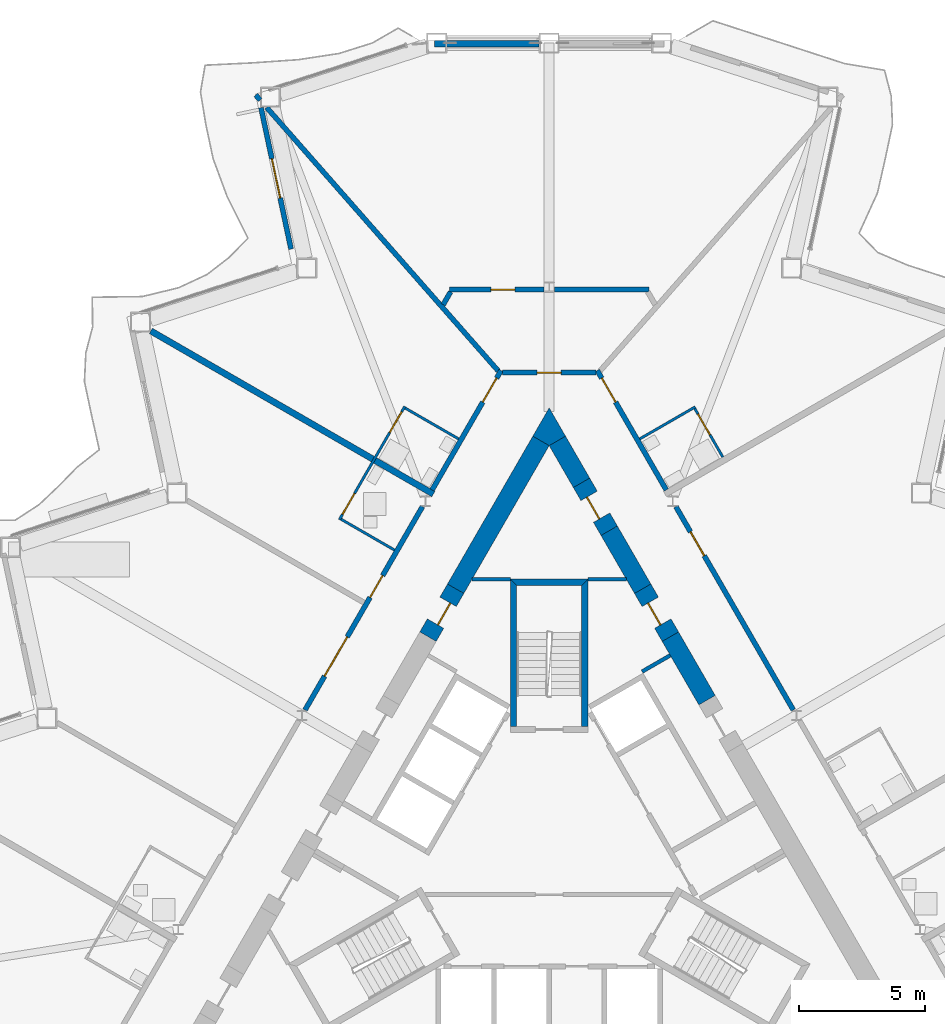
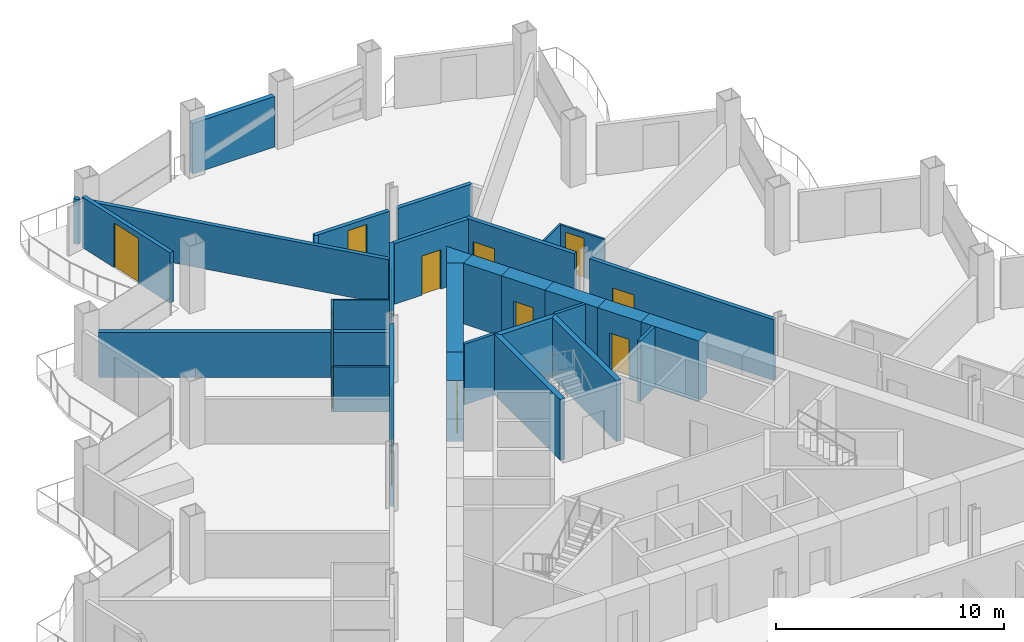
# One storey, part 14 of 23: 32 walls, 14 doors, 14 openings.
"""IFC4 building model written with IfcOpenShell, lengths in metres."""

from ifc_helpers import new_model, si_unit, direction, frame, frame_2d, origin, place, context, subcontext, project, spatial, polyline, rectangle, outline, extrude, material, layer, layer_set, type_object, element, fill, save


model = new_model("IFC4")

# Units and contexts
model_context = context("Model", 3, precision=1e-05, world=origin(), true_north=direction((0.0, 1.0)))
body_context = subcontext(model_context, "Body", "Model", "MODEL_VIEW")
ifc_project = project(units=[si_unit("LENGTHUNIT", "METRE"), si_unit("AREAUNIT", "SQUARE_METRE"), si_unit("VOLUMEUNIT", "CUBIC_METRE"), si_unit("PLANEANGLEUNIT", "RADIAN"), si_unit("MASSUNIT", "GRAM", prefix="KILO")], contexts=[model_context])

# Site, building, storey
site_placement = place(None, origin())
site = spatial("IfcSite", under=ifc_project, at=site_placement, CompositionType="ELEMENT")
building_placement = place(site_placement, origin())
building = spatial("IfcBuilding", under=site, at=building_placement, Name="Cormorant Prow Tower", CompositionType="ELEMENT")
storey_placement = place(building_placement, frame((0.0, 0.0, 169.199951171875)))
storey = spatial("IfcBuildingStorey", under=building, at=storey_placement, Name="L35", CompositionType="ELEMENT", Elevation=169.199951171875)

# Walls
ifc_material_1 = material(Name="Gypsum board partition")
ifc_layer_1 = layer(ifc_material_1, 0.14990234375)
ifc_layer_set_1 = layer_set([ifc_layer_1], Name="Gypsum board partition")
wall_type_1 = type_object("IfcWallType", Name="Core partition 150", PredefinedType="PARTITIONING", material=ifc_layer_set_1)
wall_1_placement = place(storey_placement, frame((3.693359375, 7.4150390625, 0.0), z_axis=(0.0, 0.0, 1.0), x_axis=(0.866003189247, 0.500038474733, 0.0)))
element("IfcWall", 1, at=wall_1_placement, inside=storey, type_object=wall_type_1, Name="Service room partition", PredefinedType="PARTITIONING", context=body_context, shape_type="SweptSolid", body=[
    extrude(rectangle(XDim=1.29296875, YDim=0.14990234375, at=frame_2d((0.646484375, 0.0))), origin(), (0.0, 0.0, 1.0), 3.25),
])
for number, where, z_axis, x_axis, name in (
    (2, (1.5439453125, 11.0869140625, 0.0), (0.0, 0.0, 1.0), (1.0, 0.0, 0.0), "Service room partition"),
    (3, (-1.5439453125, 11.0869140625, 0.0), (0.0, 0.0, 1.0), (-1.0, 0.0, 0.0), "Service room partition"),
):
    element("IfcWall", number, at=place(storey_placement, frame(where, z_axis=z_axis, x_axis=x_axis)), inside=storey, type_object=wall_type_1, Name=name, PredefinedType="PARTITIONING", context=body_context, shape_type="SweptSolid", body=[
        extrude(rectangle(XDim=1.5224609375, YDim=0.14990234375, at=frame_2d((0.76123046875, 0.0))), origin(), (0.0, 0.0, 1.0), 3.25),
    ])
ifc_material_2 = material(Name="Concrete 8000 psi", Category="concrete")
ifc_layer_2 = layer(ifc_material_2, 0.75)
ifc_layer_set_2 = layer_set([ifc_layer_2], Name="Concrete 8000 psi")
wall_type_2 = type_object("IfcWallType", Name="Core shear wall 750", PredefinedType="SHEAR", material=ifc_layer_set_2)
wall_2_placement = place(storey_placement, frame((6.275390625, 6.27880859375, 0.0), z_axis=(0.0, 0.0, 1.0), x_axis=(-0.500029273391, 0.866008502124, 0.0)))
element("IfcWall", 4, at=wall_2_placement, inside=storey, type_object=wall_type_2, Name="Core wall", PredefinedType="SHEAR", context=body_context, shape_type="SweptSolid", body=[
    extrude(rectangle(XDim=2.915771484375, YDim=0.75, at=frame_2d((1.4580078125, 0.0))), origin(), (0.0, 0.0, 1.0), 3.25),
])
wall_3_placement = place(storey_placement, frame((3.71728515625, 10.709228515625, 0.0), z_axis=(0.0, 0.0, 1.0), x_axis=(-0.500005599468, 0.866022170906, 0.0)))
element("IfcWall", 5, at=wall_3_placement, inside=storey, type_object=wall_type_2, Name="Core wall", PredefinedType="SHEAR", context=body_context, shape_type="SweptSolid", body=[
    extrude(rectangle(XDim=2.662109375, YDim=0.75, at=frame_2d((1.3310546875, 0.0))), origin(), (0.0, 0.0, 1.0), 3.25),
])
wall_4_placement = place(storey_placement, frame((1.286376953125, 14.919921875, 0.0), z_axis=(0.0, 0.0, 1.0), x_axis=(-0.500030129425, 0.866008007854, 0.0)))
element("IfcWall", 6, at=wall_4_placement, inside=storey, type_object=wall_type_2, Name="Core wall", PredefinedType="SHEAR", context=body_context, shape_type="SweptSolid", body=[
    extrude(rectangle(XDim=1.92333984375, YDim=0.75, at=frame_2d((0.961669921875, 0.0))), origin(), (0.0, 0.0, 1.0), 3.25),
])
wall_5_placement = place(storey_placement, frame((-0.32470703125, 16.58544921875, 0.0), z_axis=(0.0, 0.0, 1.0), x_axis=(-0.499993425452, -0.866029199568, 0.0)))
element("IfcWall", 7, at=wall_5_placement, inside=storey, type_object=wall_type_2, Name="Core wall", PredefinedType="SHEAR", context=body_context, shape_type="SweptSolid", body=[
    extrude(rectangle(XDim=6.78515625, YDim=0.75, at=frame_2d((3.392578125, 0.0))), origin(), (0.0, 0.0, 1.0), 3.25),
])
wall_6_placement = place(storey_placement, origin())
element("IfcWall", 8, at=wall_6_placement, inside=storey, type_object=wall_type_2, Name="Core wall corner", PredefinedType="SHEAR", context=body_context, shape_type="SweptSolid", body=[
    extrude(outline(polyline([(-0.6494140625, 16.77294921875), (0.0, 17.89794921875), (0.6494140625, 16.77294921875), (0.0, 16.39794921875), (-0.6494140625, 16.77294921875)])), origin(), (0.0, 0.0, 1.0), 3.25),
])

# Wall, opening, door
wall_7_placement = place(storey_placement, frame((2.38623046875, 13.0146484375, 0.0), z_axis=(0.0, 0.0, 1.0), x_axis=(-0.499946605688, 0.86605622881, 0.0)))
wall_7 = element("IfcWall", 9, at=wall_7_placement, inside=storey, type_object=wall_type_2, Name="Core wall door panel", PredefinedType="SHEAR", context=body_context, shape_type="SweptSolid", body=[
    extrude(rectangle(XDim=2.199951171875, YDim=0.75, at=frame_2d((1.10009765625, 0.0))), origin(), (0.0, 0.0, 1.0), 3.25),
])
opening_1_placement = place(wall_7_placement, frame((0.60009765625, 0.0, 0.0)))
opening_1 = element("IfcOpeningElement", 10, at=opening_1_placement, cuts=wall_7, Name="Opening L35-C20", PredefinedType="OPENING", context=body_context, shape_type="SweptSolid", body=[
    extrude(rectangle(XDim=1.0, YDim=2.10009765625, at=frame_2d((0.5, 1.050048828125))), frame((0.0, 0.385009765625, 0.0), z_axis=(0.0, -1.0, 0.0), x_axis=(1.0, 0.0, 0.0)), (0.0, 0.0, 1.0), 0.77001953125),
])
ifc_material_3 = material(Name="Painted steel", Category="steel")
door_type_1 = type_object("IfcDoorType", Name="Service door 1000x2100", OperationType="NOTDEFINED", PredefinedType="DOOR", material=ifc_material_3)
door_1_placement = place(opening_1_placement, origin())
door_1 = element("IfcDoor", 11, at=door_1_placement, inside=storey, type_object=door_type_1, Name="Core door, Mechanical riser room", OperationType="SINGLE_SWING_RIGHT", OverallHeight=2.10009765625, OverallWidth=1.0, PredefinedType="DOOR", context=body_context, shape_type="SweptSolid", body=[
    extrude(rectangle(XDim=1.0, YDim=2.10009765625, at=frame_2d((0.5, 1.050048828125))), frame((0.0, 0.1298828125, 0.0), z_axis=(0.0, -1.0, 0.0), x_axis=(1.0, 0.0, 0.0)), (0.0, 0.0, 1.0), 0.050048828125),
])
fill(opening_1, door_1)

wall_8_placement = place(storey_placement, frame((4.8173828125, 8.803955078125, 0.0), z_axis=(0.0, 0.0, 1.0), x_axis=(-0.50002983664, 0.866008176907, 0.0)))
wall_8 = element("IfcWall", 12, at=wall_8_placement, inside=storey, type_object=wall_type_2, Name="Core wall door panel", PredefinedType="SHEAR", context=body_context, shape_type="SweptSolid", body=[
    extrude(rectangle(XDim=2.199951171875, YDim=0.75, at=frame_2d((1.10009765625, 0.0))), origin(), (0.0, 0.0, 1.0), 3.25),
])
opening_2_placement = place(wall_8_placement, frame((0.60009765625, 0.0, 0.0)))
opening_2 = element("IfcOpeningElement", 13, at=opening_2_placement, cuts=wall_8, Name="Opening L35-C23", PredefinedType="OPENING", context=body_context, shape_type="SweptSolid", body=[
    extrude(rectangle(XDim=1.0, YDim=2.10009765625, at=frame_2d((0.5, 1.050048828125))), frame((0.0, 0.385009765625, 0.0), z_axis=(0.0, -1.0, 0.0), x_axis=(1.0, 0.0, 0.0)), (0.0, 0.0, 1.0), 0.77001953125),
])
door_2_placement = place(opening_2_placement, origin())
door_2 = element("IfcDoor", 14, at=door_2_placement, inside=storey, type_object=door_type_1, Name="Core door, Mechanical riser room", OperationType="SINGLE_SWING_RIGHT", OverallHeight=2.10009765625, OverallWidth=1.0, PredefinedType="DOOR", context=body_context, shape_type="SweptSolid", body=[
    extrude(rectangle(XDim=1.0, YDim=2.10009765625, at=frame_2d((0.5, 1.050048828125))), frame((0.0, 0.1298828125, 0.0), z_axis=(0.0, -1.0, 0.0), x_axis=(1.0, 0.0, 0.0)), (0.0, 0.0, 1.0), 0.050048828125),
])
fill(opening_2, door_2)

wall_9_placement = place(storey_placement, frame((-3.71728515625, 10.709228515625, 0.0), z_axis=(0.0, 0.0, 1.0), x_axis=(-0.50002983664, -0.866008176907, 0.0)))
wall_9 = element("IfcWall", 15, at=wall_9_placement, inside=storey, type_object=wall_type_2, Name="Core wall door panel", PredefinedType="SHEAR", context=body_context, shape_type="SweptSolid", body=[
    extrude(rectangle(XDim=2.199951171875, YDim=0.75, at=frame_2d((1.10009765625, 0.0))), origin(), (0.0, 0.0, 1.0), 3.25),
])
opening_3_placement = place(wall_9_placement, frame((0.60009765625, 0.0, 0.0)))
opening_3 = element("IfcOpeningElement", 16, at=opening_3_placement, cuts=wall_9, Name="Opening L35-C24", PredefinedType="OPENING", context=body_context, shape_type="SweptSolid", body=[
    extrude(rectangle(XDim=1.0, YDim=2.10009765625, at=frame_2d((0.5, 1.050048828125))), frame((0.0, 0.385009765625, 0.0), z_axis=(0.0, -1.0, 0.0), x_axis=(1.0, 0.0, 0.0)), (0.0, 0.0, 1.0), 0.77001953125),
])
door_3_placement = place(opening_3_placement, origin())
door_3 = element("IfcDoor", 17, at=door_3_placement, inside=storey, type_object=door_type_1, Name="Core door, Mechanical riser room", OperationType="SINGLE_SWING_LEFT", OverallHeight=2.10009765625, OverallWidth=1.0, PredefinedType="DOOR", context=body_context, shape_type="SweptSolid", body=[
    extrude(rectangle(XDim=1.0, YDim=2.10009765625, at=frame_2d((0.5, 1.050048828125))), frame((0.0, 0.1298828125, 0.0), z_axis=(0.0, -1.0, 0.0), x_axis=(1.0, 0.0, 0.0)), (0.0, 0.0, 1.0), 0.050048828125),
])
fill(opening_3, door_3)

ifc_material_4 = material(Name="Gypsum board corridor wall")
ifc_layer_3 = layer(ifc_material_4, 0.199951171875)
ifc_layer_set_3 = layer_set([ifc_layer_3], Name="Gypsum board corridor wall")
wall_type_3 = type_object("IfcWallType", Name="Corridor wall 200", PredefinedType="PARTITIONING", material=ifc_layer_set_3)
wall_10_placement = place(storey_placement, frame((5.03759765625, 13.972412109375, 0.0), z_axis=(0.0, 0.0, 1.0), x_axis=(0.50000393355, -0.866023132736, 0.0)))
wall_10 = element("IfcWall", 18, at=wall_10_placement, inside=storey, type_object=wall_type_3, Name="Corridor wall", PredefinedType="PARTITIONING", context=body_context, shape_type="SweptSolid", body=[
    extrude(rectangle(XDim=9.3349609375, YDim=0.199951171875, at=frame_2d((4.66748046875, 0.0))), origin(), (0.0, 0.0, 1.0), 3.25),
])
opening_4_placement = place(wall_10_placement, frame((1.154052734375, 0.0, 0.0)))
opening_4 = element("IfcOpeningElement", 19, at=opening_4_placement, cuts=wall_10, Name="Opening L35-F18", PredefinedType="OPENING", context=body_context, shape_type="SweptSolid", body=[
    extrude(rectangle(XDim=1.10009765625, YDim=2.10009765625, at=frame_2d((0.550048828125, 1.050048828125))), frame((0.0, 0.10986328125, 0.0), z_axis=(0.0, -1.0, 0.0), x_axis=(1.0, 0.0, 0.0)), (0.0, 0.0, 1.0), 0.219970703125),
])
ifc_material_5 = material(Name="Timber door leaf", Category="wood")
door_type_2 = type_object("IfcDoorType", Name="Suite entrance door 1100x2100", OperationType="NOTDEFINED", PredefinedType="DOOR", material=ifc_material_5)
door_4_placement = place(opening_4_placement, origin())
door_4 = element("IfcDoor", 20, at=door_4_placement, inside=storey, type_object=door_type_2, Name="Executive suite bedroom door", OperationType="SINGLE_SWING_RIGHT", OverallHeight=2.10009765625, OverallWidth=1.10009765625, PredefinedType="DOOR", context=body_context, shape_type="SweptSolid", body=[
    extrude(rectangle(XDim=1.10009765625, YDim=2.10009765625, at=frame_2d((0.550048828125, 1.050048828125))), frame((0.0, 0.02490234375, 0.0), z_axis=(0.0, -1.0, 0.0), x_axis=(1.0, 0.0, 0.0)), (0.0, 0.0, 1.0), 0.050048828125),
])
fill(opening_4, door_4)

# Wall, openings, doors
wall_11_placement = place(storey_placement, frame((-9.705078125, 5.88818359375, 0.0), z_axis=(0.0, 0.0, 1.0), x_axis=(0.50000393355, 0.866023132736, 0.0)))
wall_11 = element("IfcWall", 21, at=wall_11_placement, inside=storey, type_object=wall_type_3, Name="Corridor wall", PredefinedType="PARTITIONING", context=body_context, shape_type="SweptSolid", body=[
    extrude(rectangle(XDim=9.3349609375, YDim=0.199951171875, at=frame_2d((4.66748046875, 0.0))), origin(), (0.0, 0.0, 1.0), 3.25),
])
opening_5_placement = place(wall_11_placement, frame((5.171875, 0.0, 0.0)))
opening_5 = element("IfcOpeningElement", 22, at=opening_5_placement, cuts=wall_11, Name="Opening L35-F26", PredefinedType="OPENING", context=body_context, shape_type="SweptSolid", body=[
    extrude(rectangle(XDim=1.0, YDim=2.10009765625, at=frame_2d((0.5, 1.050048828125))), frame((0.0, 0.10986328125, 0.0), z_axis=(0.0, -1.0, 0.0), x_axis=(1.0, 0.0, 0.0)), (0.0, 0.0, 1.0), 0.219970703125),
])
opening_6_placement = place(wall_11_placement, frame((1.556396484375, 0.0, 0.0)))
opening_6 = element("IfcOpeningElement", 23, at=opening_6_placement, cuts=wall_11, Name="Opening L35-F28", PredefinedType="OPENING", context=body_context, shape_type="SweptSolid", body=[
    extrude(rectangle(XDim=1.800048828125, YDim=2.10009765625, at=frame_2d((0.89990234375, 1.050048828125))), frame((0.0, 0.10986328125, 0.0), z_axis=(0.0, -1.0, 0.0), x_axis=(1.0, 0.0, 0.0)), (0.0, 0.0, 1.0), 0.219970703125),
])
ifc_material_6 = material(Name="Timber door leaf", Category="wood")
door_type_3 = type_object("IfcDoorType", Name="Double door 1800x2100", OperationType="DOUBLE_DOOR_SINGLE_SWING", PredefinedType="DOOR", material=ifc_material_6)
door_5_placement = place(opening_6_placement, origin())
door_5 = element("IfcDoor", 24, at=door_5_placement, inside=storey, type_object=door_type_3, Name="Library door", OperationType="DOUBLE_DOOR_SINGLE_SWING", OverallHeight=2.10009765625, OverallWidth=1.800048828125, PredefinedType="DOOR", context=body_context, shape_type="SweptSolid", body=[
    extrude(rectangle(XDim=1.800048828125, YDim=2.10009765625, at=frame_2d((0.89990234375, 1.050048828125))), frame((0.0, 0.02490234375, 0.0), z_axis=(0.0, -1.0, 0.0), x_axis=(1.0, 0.0, 0.0)), (0.0, 0.0, 1.0), 0.050048828125),
])
fill(opening_6, door_5)
ifc_material_7 = material(Name="Timber door leaf", Category="wood")
door_type_4 = type_object("IfcDoorType", Name="Flat or room entrance door 1000x2100", OperationType="NOTDEFINED", PredefinedType="DOOR", material=ifc_material_7)
door_6_placement = place(opening_5_placement, origin())
door_6 = element("IfcDoor", 25, at=door_6_placement, inside=storey, type_object=door_type_4, Name="Guest room door", OperationType="SINGLE_SWING_LEFT", OverallHeight=2.10009765625, OverallWidth=1.0, PredefinedType="DOOR", context=body_context, shape_type="SweptSolid", body=[
    extrude(rectangle(XDim=1.0, YDim=2.10009765625, at=frame_2d((0.5, 1.050048828125))), frame((0.0, 0.02490234375, 0.0), z_axis=(0.0, -1.0, 0.0), x_axis=(1.0, 0.0, 0.0)), (0.0, 0.0, 1.0), 0.050048828125),
])
fill(opening_5, door_6)

# Wall, opening, door
wall_12_placement = place(storey_placement, frame((1.9130859375, 19.384521484375, 0.0), z_axis=(0.0, 0.0, 1.0), x_axis=(0.499988331988, -0.866032140209, 0.0)))
wall_12 = element("IfcWall", 26, at=wall_12_placement, inside=storey, type_object=wall_type_3, Name="Corridor wall", PredefinedType="PARTITIONING", context=body_context, shape_type="SweptSolid", body=[
    extrude(rectangle(XDim=5.484619140625, YDim=0.199951171875, at=frame_2d((2.7421875, 0.0))), origin(), (0.0, 0.0, 1.0), 3.25),
])
opening_7_placement = place(wall_12_placement, frame((0.352294921875, 0.0, 0.0)))
opening_7 = element("IfcOpeningElement", 27, at=opening_7_placement, cuts=wall_12, Name="Opening L35-F20", PredefinedType="OPENING", context=body_context, shape_type="SweptSolid", body=[
    extrude(rectangle(XDim=1.10009765625, YDim=2.10009765625, at=frame_2d((0.550048828125, 1.050048828125))), frame((0.0, 0.10986328125, 0.0), z_axis=(0.0, -1.0, 0.0), x_axis=(1.0, 0.0, 0.0)), (0.0, 0.0, 1.0), 0.219970703125),
])
door_7_placement = place(opening_7_placement, origin())
door_7 = element("IfcDoor", 28, at=door_7_placement, inside=storey, type_object=door_type_2, Name="Junior suite door", OperationType="SINGLE_SWING_LEFT", OverallHeight=2.10009765625, OverallWidth=1.10009765625, PredefinedType="DOOR", context=body_context, shape_type="SweptSolid", body=[
    extrude(rectangle(XDim=1.10009765625, YDim=2.10009765625, at=frame_2d((0.550048828125, 1.050048828125))), frame((0.0, 0.02490234375, 0.0), z_axis=(0.0, -1.0, 0.0), x_axis=(1.0, 0.0, 0.0)), (0.0, 0.0, 1.0), 0.050048828125),
])
fill(opening_7, door_7)

wall_13_placement = place(storey_placement, frame((-4.6552734375, 14.634765625, 0.0), z_axis=(0.0, 0.0, 1.0), x_axis=(0.499988331988, 0.866032140209, 0.0)))
wall_13 = element("IfcWall", 29, at=wall_13_placement, inside=storey, type_object=wall_type_3, Name="Corridor wall", PredefinedType="PARTITIONING", context=body_context, shape_type="SweptSolid", body=[
    extrude(rectangle(XDim=5.484619140625, YDim=0.199951171875, at=frame_2d((2.7421875, 0.0))), origin(), (0.0, 0.0, 1.0), 3.25),
])
opening_8_placement = place(wall_13_placement, frame((4.0322265625, 0.0, 0.0)))
opening_8 = element("IfcOpeningElement", 30, at=opening_8_placement, cuts=wall_13, Name="Opening L35-F24", PredefinedType="OPENING", context=body_context, shape_type="SweptSolid", body=[
    extrude(rectangle(XDim=1.10009765625, YDim=2.10009765625, at=frame_2d((0.550048828125, 1.050048828125))), frame((0.0, 0.10986328125, 0.0), z_axis=(0.0, -1.0, 0.0), x_axis=(1.0, 0.0, 0.0)), (0.0, 0.0, 1.0), 0.219970703125),
])
door_8_placement = place(opening_8_placement, origin())
door_8 = element("IfcDoor", 31, at=door_8_placement, inside=storey, type_object=door_type_2, Name="Junior suite door", OperationType="SINGLE_SWING_RIGHT", OverallHeight=2.10009765625, OverallWidth=1.10009765625, PredefinedType="DOOR", context=body_context, shape_type="SweptSolid", body=[
    extrude(rectangle(XDim=1.10009765625, YDim=2.10009765625, at=frame_2d((0.550048828125, 1.050048828125))), frame((0.0, 0.02490234375, 0.0), z_axis=(0.0, -1.0, 0.0), x_axis=(1.0, 0.0, 0.0)), (0.0, 0.0, 1.0), 0.050048828125),
])
fill(opening_8, door_8)

wall_14_placement = place(storey_placement, frame((-1.863037109375, 19.2978515625, 0.0), z_axis=(0.0, 0.0, 1.0), x_axis=(1.0, 0.0, 0.0)))
wall_14 = element("IfcWall", 32, at=wall_14_placement, inside=storey, type_object=wall_type_3, Name="Corridor wall", PredefinedType="PARTITIONING", context=body_context, shape_type="SweptSolid", body=[
    extrude(rectangle(XDim=3.72607421875, YDim=0.199951171875, at=frame_2d((1.863037109375, 0.0))), origin(), (0.0, 0.0, 1.0), 3.25),
])
opening_9_placement = place(wall_14_placement, frame((1.387939453125, 0.0, 0.0)))
opening_9 = element("IfcOpeningElement", 33, at=opening_9_placement, cuts=wall_14, Name="Opening L35-F22", PredefinedType="OPENING", context=body_context, shape_type="SweptSolid", body=[
    extrude(rectangle(XDim=0.949951171875, YDim=2.10009765625, at=frame_2d((0.47509765625, 1.050048828125))), frame((0.0, 0.10986328125, 0.0), z_axis=(0.0, -1.0, 0.0), x_axis=(1.0, 0.0, 0.0)), (0.0, 0.0, 1.0), 0.219970703125),
])
ifc_material_8 = material(Name="Timber door leaf", Category="wood")
door_type_5 = type_object("IfcDoorType", Name="Store door 950x2100", OperationType="NOTDEFINED", PredefinedType="DOOR", material=ifc_material_8)
door_9_placement = place(opening_9_placement, origin())
door_9 = element("IfcDoor", 34, at=door_9_placement, inside=storey, type_object=door_type_5, Name="Housekeeping room door", OperationType="SINGLE_SWING_LEFT", OverallHeight=2.10009765625, OverallWidth=0.949951171875, PredefinedType="DOOR", context=body_context, shape_type="SweptSolid", body=[
    extrude(rectangle(XDim=0.949951171875, YDim=2.10009765625, at=frame_2d((0.47509765625, 1.050048828125))), frame((0.0, 0.02490234375, 0.0), z_axis=(0.0, -1.0, 0.0), x_axis=(1.0, 0.0, 0.0)), (0.0, 0.0, 1.0), 0.050048828125),
])
fill(opening_9, door_9)

# Wall
ifc_material_9 = material(Name="Gypsum board demising wall")
ifc_layer_4 = layer(ifc_material_9, 0.199951171875)
ifc_layer_set_4 = layer_set([ifc_layer_4], Name="Gypsum board demising wall")
wall_type_4 = type_object("IfcWallType", Name="Demising wall 200", PredefinedType="PARTITIONING", material=ifc_layer_set_4)
wall_15_placement = place(storey_placement, frame((-11.23095703125, 29.841796875, 0.0), z_axis=(0.0, 0.0, 1.0), x_axis=(0.66019067586, -0.751098043871, 0.0)))
element("IfcWall", 35, at=wall_15_placement, inside=storey, type_object=wall_type_4, Name="Demising wall", PredefinedType="PARTITIONING", context=body_context, shape_type="SweptSolid", body=[
    extrude(rectangle(XDim=13.938232421875, YDim=0.199951171875, at=frame_2d((6.96923828125, 0.0))), origin(), (0.0, 0.0, 1.0), 2.404296875),
])

# Wall, opening, door
wall_16_placement = place(storey_placement, frame((-3.96826171875, 22.597900390625, 0.0), z_axis=(0.0, 0.0, 1.0), x_axis=(1.0, 0.0, 0.0)))
wall_16 = element("IfcWall", 36, at=wall_16_placement, inside=storey, type_object=wall_type_4, Name="Demising wall", PredefinedType="PARTITIONING", context=body_context, shape_type="SweptSolid", body=[
    extrude(rectangle(XDim=3.754638671875, YDim=0.199951171875, at=frame_2d((1.87744140625, 0.0))), origin(), (0.0, 0.0, 1.0), 2.404296875),
])
opening_10_placement = place(wall_16_placement, frame((1.65283203125, 0.0, 0.0)))
opening_10 = element("IfcOpeningElement", 37, at=opening_10_placement, cuts=wall_16, Name="Opening L35-F23", PredefinedType="OPENING", context=body_context, shape_type="SweptSolid", body=[
    extrude(rectangle(XDim=0.949951171875, YDim=2.10009765625, at=frame_2d((0.47509765625, 1.050048828125))), frame((0.0, 0.10986328125, 0.0), z_axis=(0.0, -1.0, 0.0), x_axis=(1.0, 0.0, 0.0)), (0.0, 0.0, 1.0), 0.219970703125),
])
door_10_placement = place(opening_10_placement, origin())
door_10 = element("IfcDoor", 38, at=door_10_placement, inside=storey, type_object=door_type_5, Name="Ice and vending room door", OperationType="SINGLE_SWING_LEFT", OverallHeight=2.10009765625, OverallWidth=0.949951171875, PredefinedType="DOOR", context=body_context, shape_type="SweptSolid", body=[
    extrude(rectangle(XDim=0.949951171875, YDim=2.10009765625, at=frame_2d((0.47509765625, 1.050048828125))), frame((0.0, 0.02490234375, 0.0), z_axis=(0.0, -1.0, 0.0), x_axis=(1.0, 0.0, 0.0)), (0.0, 0.0, 1.0), 0.050048828125),
])
fill(opening_10, door_10)

# Walls
wall_17_placement = place(storey_placement, frame((0.213623046875, 22.597900390625, 0.0), z_axis=(0.0, 0.0, 1.0), x_axis=(1.0, 0.0, 0.0)))
element("IfcWall", 39, at=wall_17_placement, inside=storey, type_object=wall_type_4, Name="Demising wall", PredefinedType="PARTITIONING", context=body_context, shape_type="SweptSolid", body=[
    extrude(rectangle(XDim=3.754638671875, YDim=0.199951171875, at=frame_2d((1.87744140625, 0.0))), origin(), (0.0, 0.0, 1.0), 2.404296875),
])
wall_18_placement = place(storey_placement, frame((-4.212890625, 22.0009765625, 0.0), z_axis=(0.0, 0.0, 1.0), x_axis=(0.500105011351, 0.865964766963, 0.0)))
element("IfcWall", 40, at=wall_18_placement, inside=storey, type_object=wall_type_4, Name="Demising wall", PredefinedType="PARTITIONING", context=body_context, shape_type="SweptSolid", body=[
    extrude(rectangle(XDim=0.589111328125, YDim=0.199951171875, at=frame_2d((0.29443359375, 0.0))), origin(), (0.0, 0.0, 1.0), 2.404296875),
])
wall_19_placement = place(storey_placement, frame((-11.6640625, 30.334716796875, 0.0), z_axis=(0.0, 0.0, 1.0), x_axis=(0.660272933047, -0.751025734503, 0.0)))
element("IfcWall", 41, at=wall_19_placement, inside=storey, type_object=wall_type_4, Name="Demising wall", PredefinedType="PARTITIONING", context=body_context, shape_type="SweptSolid", body=[
    extrude(rectangle(XDim=0.263671875, YDim=0.199951171875, at=frame_2d((0.1318359375, 0.0))), origin(), (0.0, 0.0, 1.0), 2.404296875),
])

# Wall, openings, doors
ifc_material_10 = material(Name="Gypsum board partition")
ifc_layer_5 = layer(ifc_material_10, 0.10009765625)
ifc_layer_set_5 = layer_set([ifc_layer_5], Name="Gypsum board partition")
wall_type_5 = type_object("IfcWallType", Name="Internal partition 100", PredefinedType="PARTITIONING", material=ifc_layer_set_5)
wall_20_placement = place(storey_placement, frame((-8.33935546875, 13.45361328125, 0.0), z_axis=(0.0, 0.0, 1.0), x_axis=(0.499992051641, 0.866029992723, 0.0)))
wall_20 = element("IfcWall", 42, at=wall_20_placement, inside=storey, type_object=wall_type_5, Name="Internal partition", PredefinedType="PARTITIONING", context=body_context, shape_type="SweptSolid", body=[
    extrude(rectangle(XDim=5.19970703125, YDim=0.10009765625, at=frame_2d((2.599853515625, 0.0))), origin(), (0.0, 0.0, 1.0), 2.404296875),
])
opening_11_placement = place(wall_20_placement, frame((4.0, 0.0, 0.0)))
opening_11 = element("IfcOpeningElement", 43, at=opening_11_placement, cuts=wall_20, Name="Opening L35-F25", PredefinedType="OPENING", context=body_context, shape_type="SweptSolid", body=[
    extrude(rectangle(XDim=0.949951171875, YDim=2.10009765625, at=frame_2d((0.47509765625, 1.050048828125))), frame((0.0, 0.06005859375, 0.0), z_axis=(0.0, -1.0, 0.0), x_axis=(1.0, 0.0, 0.0)), (0.0, 0.0, 1.0), 0.1201171875),
])
opening_12_placement = place(wall_20_placement, frame((0.25, 0.0, 0.0)))
opening_12 = element("IfcOpeningElement", 44, at=opening_12_placement, cuts=wall_20, Name="Opening L35-F27", PredefinedType="OPENING", context=body_context, shape_type="SweptSolid", body=[
    extrude(rectangle(XDim=0.949951171875, YDim=2.10009765625, at=frame_2d((0.47509765625, 1.050048828125))), frame((0.0, 0.06005859375, 0.0), z_axis=(0.0, -1.0, 0.0), x_axis=(1.0, 0.0, 0.0)), (0.0, 0.0, 1.0), 0.1201171875),
])
ifc_material_11 = material(Name="Timber door leaf", Category="wood")
door_type_6 = type_object("IfcDoorType", Name="Bathroom door 950x2100", OperationType="NOTDEFINED", PredefinedType="DOOR", material=ifc_material_11)
door_11_placement = place(opening_11_placement, origin())
door_11 = element("IfcDoor", 45, at=door_11_placement, inside=storey, type_object=door_type_6, Name="Junior suite door", OperationType="SINGLE_SWING_RIGHT", OverallHeight=2.10009765625, OverallWidth=0.949951171875, PredefinedType="DOOR", context=body_context, shape_type="SweptSolid", body=[
    extrude(rectangle(XDim=0.949951171875, YDim=2.10009765625, at=frame_2d((0.47509765625, 1.050048828125))), frame((0.0, 0.02490234375, 0.0), z_axis=(0.0, -1.0, 0.0), x_axis=(1.0, 0.0, 0.0)), (0.0, 0.0, 1.0), 0.050048828125),
])
fill(opening_11, door_11)
door_12_placement = place(opening_12_placement, origin())
door_12 = element("IfcDoor", 46, at=door_12_placement, inside=storey, type_object=door_type_6, Name="Guest room door", OperationType="SINGLE_SWING_LEFT", OverallHeight=2.10009765625, OverallWidth=0.949951171875, PredefinedType="DOOR", context=body_context, shape_type="SweptSolid", body=[
    extrude(rectangle(XDim=0.949951171875, YDim=2.10009765625, at=frame_2d((0.47509765625, 1.050048828125))), frame((0.0, 0.02490234375, 0.0), z_axis=(0.0, -1.0, 0.0), x_axis=(1.0, 0.0, 0.0)), (0.0, 0.0, 1.0), 0.050048828125),
])
fill(opening_12, door_12)

# Walls
wall_21_placement = place(storey_placement, frame((-8.27099609375, 13.471923828125, 0.0), z_axis=(0.0, 0.0, 1.0), x_axis=(0.865989751695, -0.500061746146, 0.0)))
element("IfcWall", 47, at=wall_21_placement, inside=storey, type_object=wall_type_5, Name="Internal partition", PredefinedType="PARTITIONING", context=body_context, shape_type="SweptSolid", body=[
    extrude(rectangle(XDim=2.449951171875, YDim=0.10009765625, at=frame_2d((1.22509765625, 0.0))), origin(), (0.0, 0.0, 1.0), 2.404296875),
])
wall_22_placement = place(storey_placement, frame((3.599365234375, 16.66357421875, 0.0), z_axis=(0.0, 0.0, 1.0), x_axis=(0.865989465428, 0.500062241894, 0.0)))
element("IfcWall", 48, at=wall_22_placement, inside=storey, type_object=wall_type_5, Name="Internal partition", PredefinedType="PARTITIONING", context=body_context, shape_type="SweptSolid", body=[
    extrude(rectangle(XDim=2.550048828125, YDim=0.10009765625, at=frame_2d((1.27490234375, 0.0))), origin(), (0.0, 0.0, 1.0), 2.404296875),
])
wall_23_placement = place(storey_placement, frame((-5.72119140625, 17.888671875, 0.0), z_axis=(0.0, 0.0, 1.0), x_axis=(0.866014668023, -0.500018594424, 0.0)))
element("IfcWall", 49, at=wall_23_placement, inside=storey, type_object=wall_type_5, Name="Internal partition", PredefinedType="PARTITIONING", context=body_context, shape_type="SweptSolid", body=[
    extrude(rectangle(XDim=2.4501953125, YDim=0.10009765625, at=frame_2d((1.22509765625, 0.0))), origin(), (0.0, 0.0, 1.0), 2.404296875),
])

# Wall, opening, door
wall_24_placement = place(storey_placement, frame((5.789306640625, 17.870361328125, 0.0), z_axis=(0.0, 0.0, 1.0), x_axis=(0.49999788721, -0.866026623601, 0.0)))
wall_24 = element("IfcWall", 50, at=wall_24_placement, inside=storey, type_object=wall_type_5, Name="Internal partition", PredefinedType="PARTITIONING", context=body_context, shape_type="SweptSolid", body=[
    extrude(rectangle(XDim=2.22509765625, YDim=0.10009765625, at=frame_2d((1.112548828125, 0.0))), origin(), (0.0, 0.0, 1.0), 2.404296875),
])
opening_13_placement = place(wall_24_placement, frame((0.25, 0.0, 0.0)))
opening_13 = element("IfcOpeningElement", 51, at=opening_13_placement, cuts=wall_24, Name="Opening L35-F21", PredefinedType="OPENING", context=body_context, shape_type="SweptSolid", body=[
    extrude(rectangle(XDim=0.949951171875, YDim=2.10009765625, at=frame_2d((0.47509765625, 1.050048828125))), frame((0.0, 0.06005859375, 0.0), z_axis=(0.0, -1.0, 0.0), x_axis=(1.0, 0.0, 0.0)), (0.0, 0.0, 1.0), 0.1201171875),
])
door_13_placement = place(opening_13_placement, origin())
door_13 = element("IfcDoor", 52, at=door_13_placement, inside=storey, type_object=door_type_6, Name="Junior suite door", OperationType="SINGLE_SWING_LEFT", OverallHeight=2.10009765625, OverallWidth=0.949951171875, PredefinedType="DOOR", context=body_context, shape_type="SweptSolid", body=[
    extrude(rectangle(XDim=0.949951171875, YDim=2.10009765625, at=frame_2d((0.47509765625, 1.050048828125))), frame((0.0, 0.02490234375, 0.0), z_axis=(0.0, -1.0, 0.0), x_axis=(1.0, 0.0, 0.0)), (0.0, 0.0, 1.0), 0.050048828125),
])
fill(opening_13, door_13)

# Walls
ifc_material_12 = material(Name="Concrete 8000 psi", Category="concrete")
ifc_layer_6 = layer(ifc_material_12, 0.25)
ifc_layer_set_6 = layer_set([ifc_layer_6], Name="Concrete 8000 psi")
wall_type_6 = type_object("IfcWallType", Name="Stair wall 250", PredefinedType="SHEAR", material=ifc_layer_set_6)
wall_25_placement = place(storey_placement, origin())
element("IfcWall", 53, at=wall_25_placement, inside=storey, type_object=wall_type_6, Name="Stair ST3 enclosure wall (flank)", PredefinedType="SHEAR", context=body_context, shape_type="SweptSolid", body=[
    extrude(outline(polyline([(1.5439453125, 5.23681640625), (1.5439453125, 11.0869140625), (1.2939453125, 10.8369140625), (1.2939453125, 5.23681640625), (1.5439453125, 5.23681640625)])), origin(), (0.0, 0.0, 1.0), 3.25),
])
wall_26_placement = place(storey_placement, origin())
element("IfcWall", 54, at=wall_26_placement, inside=storey, type_object=wall_type_6, Name="Stair ST3 enclosure wall (end)", PredefinedType="SHEAR", context=body_context, shape_type="SweptSolid", body=[
    extrude(outline(polyline([(1.5439453125, 11.0869140625), (-1.5439453125, 11.0869140625), (-1.2939453125, 10.8369140625), (1.2939453125, 10.8369140625), (1.5439453125, 11.0869140625)])), origin(), (0.0, 0.0, 1.0), 3.25),
])
wall_27_placement = place(storey_placement, origin())
element("IfcWall", 55, at=wall_27_placement, inside=storey, type_object=wall_type_6, Name="Stair ST3 enclosure wall (flank)", PredefinedType="SHEAR", context=body_context, shape_type="SweptSolid", body=[
    extrude(outline(polyline([(-1.2939453125, 10.8369140625), (-1.5439453125, 11.0869140625), (-1.5439453125, 5.23681640625), (-1.2939453125, 5.23681640625), (-1.2939453125, 10.8369140625)])), origin(), (0.0, 0.0, 1.0), 3.25),
])
ifc_material_13 = material(Name="Acoustic gypsum party wall")
ifc_layer_7 = layer(ifc_material_13, 0.25)
ifc_layer_set_7 = layer_set([ifc_layer_7], Name="Acoustic gypsum party wall")
wall_type_7 = type_object("IfcWallType", Name="Suite party wall 250", PredefinedType="PARTITIONING", material=ifc_layer_set_7)
wall_28_placement = place(storey_placement, frame((-15.834716796875, 20.956298828125, 0.0), z_axis=(0.0, 0.0, 1.0), x_axis=(0.866029765546, -0.499992445131, 0.0)))
element("IfcWall", 56, at=wall_28_placement, inside=storey, type_object=wall_type_7, Name="Suite party wall", PredefinedType="PARTITIONING", context=body_context, shape_type="SweptSolid", body=[
    extrude(rectangle(XDim=12.967529296875, YDim=0.25, at=frame_2d((6.48388671875, 0.0))), origin(), (0.0, 0.0, 1.0), 2.404296875),
])
ifc_material_14 = material(Name="Terracotta", Category="masonry")
ifc_layer_8 = layer(ifc_material_14, 0.25)
ifc_layer_set_8 = layer_set([ifc_layer_8], Name="Terracotta")
wall_type_8 = type_object("IfcWallType", Name="Terracotta bay wall 250", PredefinedType="SOLIDWALL", material=ifc_layer_set_8)
wall_29_placement = place(storey_placement, frame((-0.39990234375, 32.368896484375, 0.0), z_axis=(0.0, 0.0, 1.0), x_axis=(-1.0, 0.0, 0.0)))
element("IfcWall", 57, at=wall_29_placement, inside=storey, type_object=wall_type_8, Name="Terracotta bay wall N01", PredefinedType="SOLIDWALL", context=body_context, shape_type="SweptSolid", body=[
    extrude(rectangle(XDim=4.156005859375, YDim=0.25, at=frame_2d((2.078125, 0.0))), origin(), (0.0, 0.0, 1.0), 2.700927734375),
])

# Wall, opening, door
ifc_material_15 = material(Name="Terracotta", Category="masonry")
ifc_layer_9 = layer(ifc_material_15, 0.199951171875)
ifc_layer_set_9 = layer_set([ifc_layer_9], Name="Terracotta")
wall_type_9 = type_object("IfcWallType", Name="Terracotta jamb wall 200", PredefinedType="SOLIDWALL", material=ifc_layer_set_9)
wall_30_placement = place(storey_placement, frame((-11.455078125, 29.831787109375, 0.0), z_axis=(0.0, 0.0, 1.0), x_axis=(0.207913110781, -0.97814729891, 0.0)))
wall_30 = element("IfcWall", 58, at=wall_30_placement, inside=storey, type_object=wall_type_9, Name="Terracotta jamb wall WNW01", PredefinedType="SOLIDWALL", context=body_context, shape_type="SweptSolid", body=[
    extrude(rectangle(XDim=5.747802734375, YDim=0.199951171875, at=frame_2d((2.8740234375, 0.0))), origin(), (0.0, 0.0, 1.0), 2.700927734375),
])
opening_14_placement = place(wall_30_placement, frame((2.073974609375, 0.0, 0.0)))
opening_14 = element("IfcOpeningElement", 59, at=opening_14_placement, cuts=wall_30, Name="Opening ED35.11", PredefinedType="OPENING", context=body_context, shape_type="SweptSolid", body=[
    extrude(rectangle(XDim=1.60009765625, YDim=2.39990234375, at=frame_2d((0.800048828125, 1.199951171875))), frame((0.0, 0.10986328125, 0.0), z_axis=(0.0, -1.0, 0.0), x_axis=(1.0, 0.0, 0.0)), (0.0, 0.0, 1.0), 0.219970703125),
])
ifc_material_16 = material(Name="Aluminium 6063-T6", Category="aluminium")
door_type_7 = type_object("IfcDoorType", Name="Balcony door 1600x2400", OperationType="DOUBLE_DOOR_SINGLE_SWING", PredefinedType="DOOR", material=ifc_material_16)
door_14_placement = place(opening_14_placement, origin())
door_14 = element("IfcDoor", 60, at=door_14_placement, inside=storey, type_object=door_type_7, Name="Balcony door WNW01 ED35.11", OperationType="DOUBLE_DOOR_SINGLE_SWING", OverallHeight=2.39990234375, OverallWidth=1.60009765625, PredefinedType="DOOR", context=body_context, shape_type="SweptSolid", body=[
    extrude(rectangle(XDim=1.60009765625, YDim=2.39990234375, at=frame_2d((0.800048828125, 1.199951171875))), frame((0.0, 0.02490234375, 0.0), z_axis=(0.0, -1.0, 0.0), x_axis=(1.0, 0.0, 0.0)), (0.0, 0.0, 1.0), 0.050048828125),
])
fill(opening_14, door_14)

save(model, "model.ifc")
